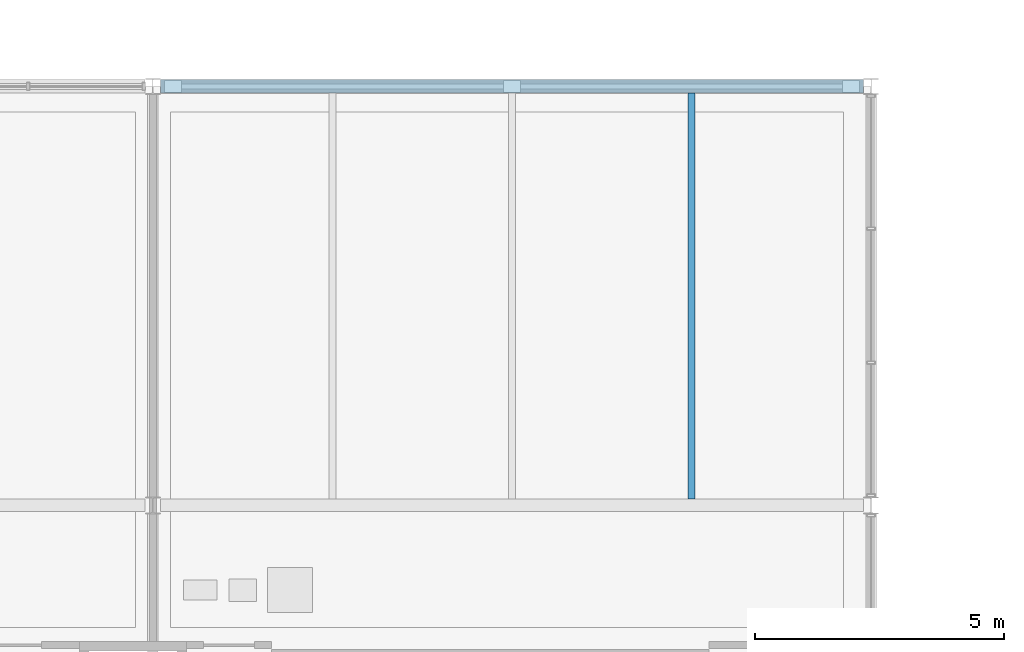
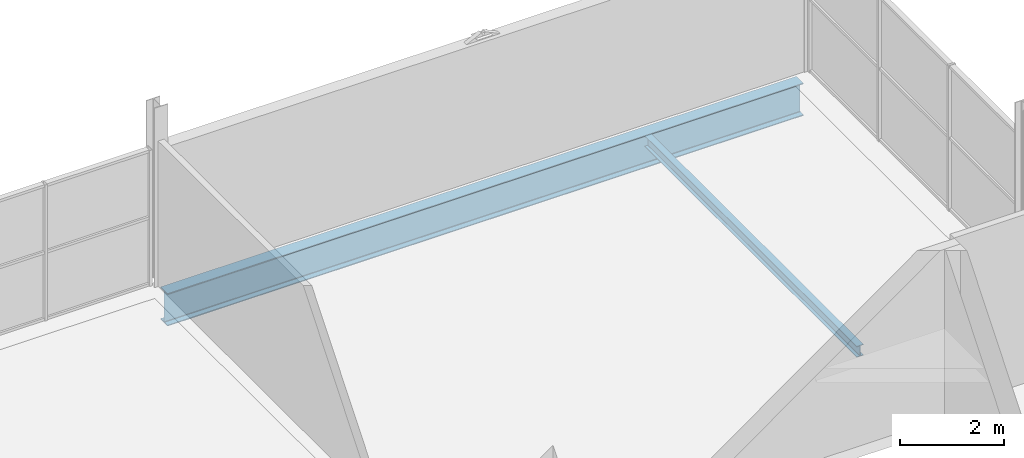
# One storey, part 65 of 93: 2 beams.
"""IFC4 building model written with IfcOpenShell, lengths in metres."""

from ifc_helpers import new_model, si_unit, direction, frame, origin, origin_2d, place, context, subcontext, project, spatial, i_section, extrude, material, material_profile, profile_set, type_object, element, save


model = new_model("IFC4")

# Units and contexts
model_context = context("Model", 3, precision=1e-05, world=origin(), true_north=direction((0.0, 1.0)))
body_context = subcontext(model_context, "Body", "Model", "MODEL_VIEW")
ifc_project = project(units=[si_unit("LENGTHUNIT", "METRE"), si_unit("AREAUNIT", "SQUARE_METRE"), si_unit("VOLUMEUNIT", "CUBIC_METRE"), si_unit("PLANEANGLEUNIT", "RADIAN"), si_unit("MASSUNIT", "GRAM", prefix="KILO"), si_unit("THERMODYNAMICTEMPERATUREUNIT", "KELVIN")], contexts=[model_context])

# Site, building, storey
site_placement = place(None, origin())
site = spatial("IfcSite", under=ifc_project, at=site_placement, CompositionType="ELEMENT")
building_placement = place(site_placement, origin())
building = spatial("IfcBuilding", under=site, at=building_placement, Name="Nduvali Passage Aquatics Centre", CompositionType="ELEMENT")
storey_placement = place(building_placement, frame((0.0, 0.0, 9.0)))
storey = spatial("IfcBuildingStorey", under=building, at=storey_placement, Name="L02", CompositionType="ELEMENT", Elevation=9.0)

# Beams
ifc_material = material(Name="Steel S355", Category="steel")
ifc_material_profile_1 = material_profile(ifc_material, i_section(OverallWidth=0.2666015625, OverallDepth=0.76220703125, WebThickness=0.014404296875, FlangeThickness=0.021484375, FilletRadius=0.0166015625, at=origin_2d()), Name="UKB 762x267x173")
ifc_profile_set_1 = profile_set([ifc_material_profile_1], Name="Steel S355")
beam_type_1 = type_object("IfcBeamType", Name="STR-BM-UKB762-EXT", PredefinedType="BEAM", material=ifc_profile_set_1)
beam_1_placement = place(storey_placement, frame((111.754638671875, 117.60009765625, -0.64501953125), z_axis=(1.0, 0.0, 0.0), x_axis=(0.0, 1.0, 0.0)))
element("IfcBeam", 1, at=beam_1_placement, inside=storey, type_object=beam_type_1, Name="L02 Primary X-Girder B4CE-0949", PredefinedType="BEAM", context=body_context, shape_type="SweptSolid", body=[
    extrude(i_section(OverallWidth=0.2666015625, OverallDepth=0.76220703125, WebThickness=0.014404296875, FlangeThickness=0.021484375, FilletRadius=0.0166015625, at=origin_2d()), origin(), (0.0, 0.0, 1.0), 14.0908203125),
])
ifc_material_profile_2 = material_profile(ifc_material, i_section(OverallWidth=0.146484375, OverallDepth=0.256103515625, WebThickness=0.00634765625, FlangeThickness=0.010986328125, FilletRadius=0.007568359375, at=origin_2d()), Name="UKB 254x146x37")
ifc_profile_set_2 = profile_set([ifc_material_profile_2], Name="Steel S355")
beam_type_2 = type_object("IfcBeamType", Name="STR-JST-UKB254", PredefinedType="JOIST", material=ifc_profile_set_2)
beam_2_placement = place(storey_placement, frame((122.39990234375, 109.326904296875, -0.39208984375), z_axis=(0.0, 1.0, 0.0), x_axis=(-1.0, 0.0, 0.0)))
element("IfcBeam", 2, at=beam_2_placement, inside=storey, type_object=beam_type_2, Name="L02 Secondary Joist J4-1200", PredefinedType="JOIST", context=body_context, shape_type="SweptSolid", body=[
    extrude(i_section(OverallWidth=0.146484375, OverallDepth=0.256103515625, WebThickness=0.00634765625, FlangeThickness=0.010986328125, FilletRadius=0.007568359375, at=origin_2d()), origin(), (0.0, 0.0, 1.0), 8.139892578125),
])

save(model, "model.ifc")
